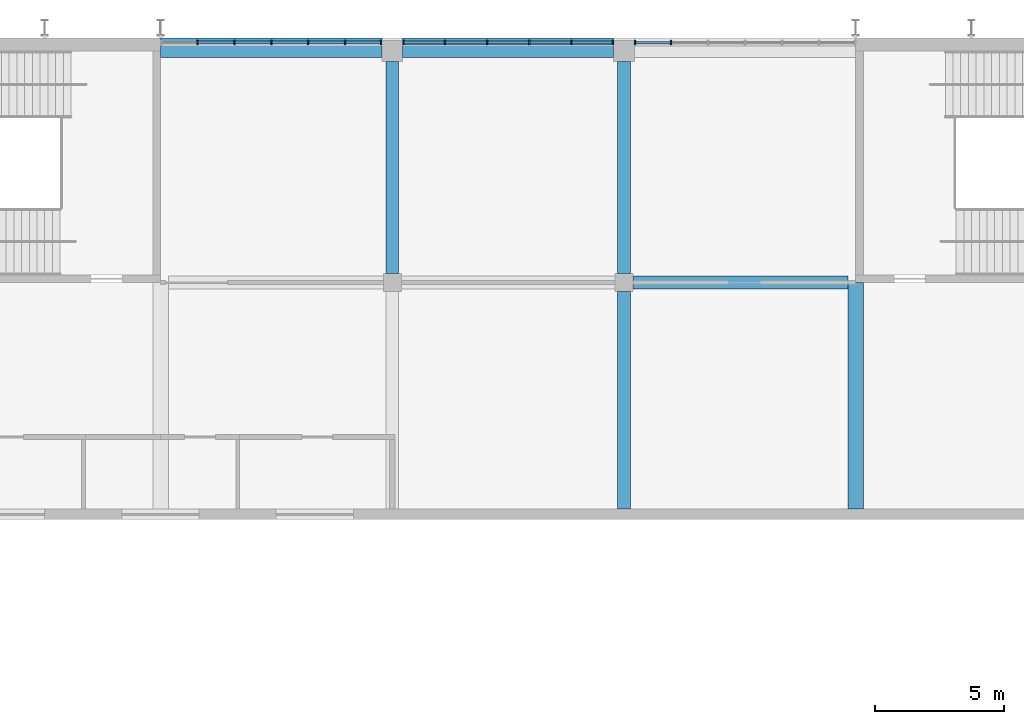
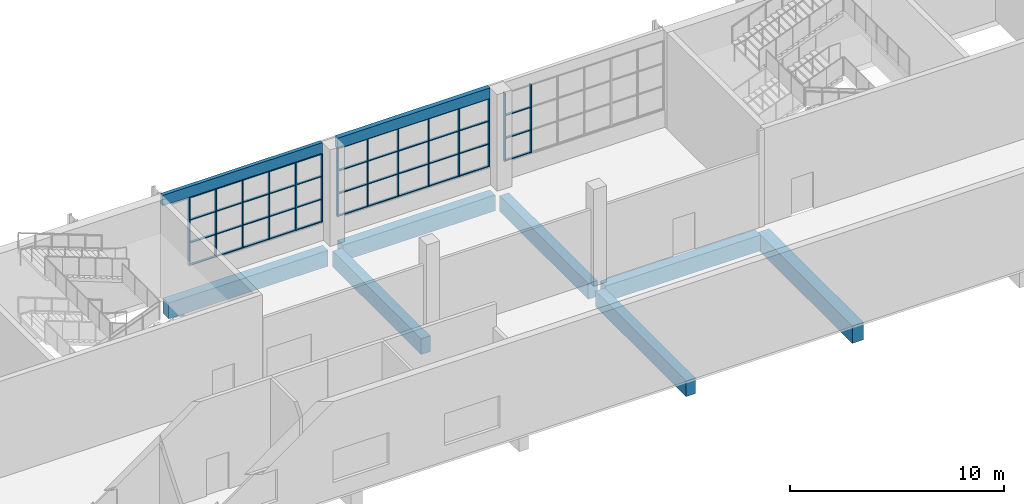
# One storey, part 18 of 84: 57 members, 9 beams, 3 elements without a shape of their own.
"""IFC4 building model written with IfcOpenShell, lengths in metres."""

from ifc_helpers import new_model, si_unit, direction, frame, origin, origin_2d, place, context, subcontext, project, spatial, rectangle, extrude, material, material_profile, profile_set, type_object, element, aggregate, save


model = new_model("IFC4")

# Units and contexts
model_context = context("Model", 3, precision=1e-05, world=origin(), true_north=direction((0.0, 1.0)))
body_context = subcontext(model_context, "Body", "Model", "MODEL_VIEW")
ifc_project = project(units=[si_unit("LENGTHUNIT", "METRE"), si_unit("AREAUNIT", "SQUARE_METRE"), si_unit("VOLUMEUNIT", "CUBIC_METRE"), si_unit("PLANEANGLEUNIT", "RADIAN"), si_unit("MASSUNIT", "GRAM", prefix="KILO")], contexts=[model_context])

# Site, building, storey
site_placement = place(None, origin())
site = spatial("IfcSite", under=ifc_project, at=site_placement, CompositionType="ELEMENT")
building_placement = place(site_placement, origin())
building = spatial("IfcBuilding", under=site, at=building_placement, Name="Silverbay Arena", CompositionType="ELEMENT")
storey_placement = place(building_placement, frame((0.0, 0.0, 28.0)))
storey = spatial("IfcBuildingStorey", under=building, at=storey_placement, Name="L04", CompositionType="ELEMENT", Elevation=28.0)

# Curtain wall, members
ifc_material_1 = material(Name="Aluminium framed curtain wall", Category="aluminium")
curtain_wall_type_1 = type_object("IfcCurtainWallType", Name="Curtain wall 8600 x 3900", PredefinedType="NOTDEFINED", material=ifc_material_1)
curtain_wall_1_placement = place(storey_placement, origin())
curtain_wall_1 = element("IfcCurtainWall", 1, at=curtain_wall_1_placement, inside=storey, type_object=curtain_wall_type_1, Name="North curtain wall L04 bay 8", PredefinedType="NOTDEFINED")
ifc_material_2 = material(Name="Aluminium", Category="aluminium")
ifc_material_profile_1 = material_profile(ifc_material_2, rectangle(XDim=0.159912109375, YDim=0.06005859375, at=origin_2d()), Name="Mullion 60 x 160")
ifc_profile_set_1 = profile_set([ifc_material_profile_1], Name="Aluminium")
member_type_1 = type_object("IfcMemberType", Name="Mullion 60 x 160", PredefinedType="MULLION", material=ifc_profile_set_1)
member_1_placement = place(storey_placement, frame((125.570068359375, 144.330078125, 1.0), z_axis=(0.0, 0.0, 1.0), x_axis=(0.0, -1.0, 0.0)))
member_1 = element("IfcMember", 2, at=member_1_placement, type_object=member_type_1, Name="CW1 mullion 1", PredefinedType="MULLION", context=body_context, shape_type="SweptSolid", body=[
    extrude(rectangle(XDim=0.159912109375, YDim=0.06005859375, at=origin_2d()), origin(), (0.0, 0.0, 1.0), 3.89990234375),
])
member_2_placement = place(storey_placement, frame((124.166748046875, 144.330078125, 1.0), z_axis=(0.0, 0.0, 1.0), x_axis=(0.0, -1.0, 0.0)))
member_2 = element("IfcMember", 3, at=member_2_placement, type_object=member_type_1, Name="CW1 mullion 2", PredefinedType="MULLION", context=body_context, shape_type="SweptSolid", body=[
    extrude(rectangle(XDim=0.159912109375, YDim=0.06005859375, at=origin_2d()), origin(), (0.0, 0.0, 1.0), 3.89990234375),
])
member_3_placement = place(storey_placement, frame((122.7333984375, 144.330078125, 1.0), z_axis=(0.0, 0.0, 1.0), x_axis=(0.0, -1.0, 0.0)))
member_3 = element("IfcMember", 4, at=member_3_placement, type_object=member_type_1, Name="CW1 mullion 3", PredefinedType="MULLION", context=body_context, shape_type="SweptSolid", body=[
    extrude(rectangle(XDim=0.159912109375, YDim=0.06005859375, at=origin_2d()), origin(), (0.0, 0.0, 1.0), 3.89990234375),
])
member_4_placement = place(storey_placement, frame((121.300048828125, 144.330078125, 1.0), z_axis=(0.0, 0.0, 1.0), x_axis=(0.0, -1.0, 0.0)))
member_4 = element("IfcMember", 5, at=member_4_placement, type_object=member_type_1, Name="CW1 mullion 4", PredefinedType="MULLION", context=body_context, shape_type="SweptSolid", body=[
    extrude(rectangle(XDim=0.159912109375, YDim=0.06005859375, at=origin_2d()), origin(), (0.0, 0.0, 1.0), 3.89990234375),
])
member_5_placement = place(storey_placement, frame((119.86669921875, 144.330078125, 1.0), z_axis=(0.0, 0.0, 1.0), x_axis=(0.0, -1.0, 0.0)))
member_5 = element("IfcMember", 6, at=member_5_placement, type_object=member_type_1, Name="CW1 mullion 5", PredefinedType="MULLION", context=body_context, shape_type="SweptSolid", body=[
    extrude(rectangle(XDim=0.159912109375, YDim=0.06005859375, at=origin_2d()), origin(), (0.0, 0.0, 1.0), 3.89990234375),
])
member_6_placement = place(storey_placement, frame((118.433349609375, 144.330078125, 1.0), z_axis=(0.0, 0.0, 1.0), x_axis=(0.0, -1.0, 0.0)))
member_6 = element("IfcMember", 7, at=member_6_placement, type_object=member_type_1, Name="CW1 mullion 6", PredefinedType="MULLION", context=body_context, shape_type="SweptSolid", body=[
    extrude(rectangle(XDim=0.159912109375, YDim=0.06005859375, at=origin_2d()), origin(), (0.0, 0.0, 1.0), 3.89990234375),
])

ifc_material_3 = material(Name="Aluminium framed curtain wall", Category="aluminium")
curtain_wall_type_2 = type_object("IfcCurtainWallType", Name="Curtain wall 8200 x 3900", PredefinedType="NOTDEFINED", material=ifc_material_3)
curtain_wall_2_placement = place(storey_placement, origin())
curtain_wall_2 = element("IfcCurtainWall", 8, at=curtain_wall_2_placement, inside=storey, type_object=curtain_wall_type_2, Name="North curtain wall L04 bay 9", PredefinedType="NOTDEFINED")
member_7_placement = place(storey_placement, frame((134.570068359375, 144.330078125, 1.0), z_axis=(0.0, 0.0, 1.0), x_axis=(0.0, -1.0, 0.0)))
member_7 = element("IfcMember", 9, at=member_7_placement, type_object=member_type_1, Name="CW16 mullion 1", PredefinedType="MULLION", context=body_context, shape_type="SweptSolid", body=[
    extrude(rectangle(XDim=0.159912109375, YDim=0.06005859375, at=origin_2d()), origin(), (0.0, 0.0, 1.0), 3.89990234375),
])
member_8_placement = place(storey_placement, frame((132.9599609375, 144.330078125, 1.0), z_axis=(0.0, 0.0, 1.0), x_axis=(0.0, -1.0, 0.0)))
member_8 = element("IfcMember", 10, at=member_8_placement, type_object=member_type_1, Name="CW16 mullion 2", PredefinedType="MULLION", context=body_context, shape_type="SweptSolid", body=[
    extrude(rectangle(XDim=0.159912109375, YDim=0.06005859375, at=origin_2d()), origin(), (0.0, 0.0, 1.0), 3.89990234375),
])
member_9_placement = place(storey_placement, frame((131.320068359375, 144.330078125, 1.0), z_axis=(0.0, 0.0, 1.0), x_axis=(0.0, -1.0, 0.0)))
member_9 = element("IfcMember", 11, at=member_9_placement, type_object=member_type_1, Name="CW16 mullion 3", PredefinedType="MULLION", context=body_context, shape_type="SweptSolid", body=[
    extrude(rectangle(XDim=0.159912109375, YDim=0.06005859375, at=origin_2d()), origin(), (0.0, 0.0, 1.0), 3.89990234375),
])
member_10_placement = place(storey_placement, frame((129.679931640625, 144.330078125, 1.0), z_axis=(0.0, 0.0, 1.0), x_axis=(0.0, -1.0, 0.0)))
member_10 = element("IfcMember", 12, at=member_10_placement, type_object=member_type_1, Name="CW16 mullion 4", PredefinedType="MULLION", context=body_context, shape_type="SweptSolid", body=[
    extrude(rectangle(XDim=0.159912109375, YDim=0.06005859375, at=origin_2d()), origin(), (0.0, 0.0, 1.0), 3.89990234375),
])
member_11_placement = place(storey_placement, frame((128.0400390625, 144.330078125, 1.0), z_axis=(0.0, 0.0, 1.0), x_axis=(0.0, -1.0, 0.0)))
member_11 = element("IfcMember", 13, at=member_11_placement, type_object=member_type_1, Name="CW16 mullion 5", PredefinedType="MULLION", context=body_context, shape_type="SweptSolid", body=[
    extrude(rectangle(XDim=0.159912109375, YDim=0.06005859375, at=origin_2d()), origin(), (0.0, 0.0, 1.0), 3.89990234375),
])
member_12_placement = place(storey_placement, frame((126.429931640625, 144.330078125, 1.0), z_axis=(0.0, 0.0, 1.0), x_axis=(0.0, -1.0, 0.0)))
member_12 = element("IfcMember", 14, at=member_12_placement, type_object=member_type_1, Name="CW16 mullion 6", PredefinedType="MULLION", context=body_context, shape_type="SweptSolid", body=[
    extrude(rectangle(XDim=0.159912109375, YDim=0.06005859375, at=origin_2d()), origin(), (0.0, 0.0, 1.0), 3.89990234375),
])

curtain_wall_3_placement = place(storey_placement, origin())
curtain_wall_3 = element("IfcCurtainWall", 15, at=curtain_wall_3_placement, inside=storey, type_object=curtain_wall_type_1, Name="North curtain wall L04 bay 10", PredefinedType="NOTDEFINED")
member_13_placement = place(storey_placement, frame((136.833251953125, 144.330078125, 1.0), z_axis=(0.0, 0.0, 1.0), x_axis=(0.0, -1.0, 0.0)))
member_13 = element("IfcMember", 16, at=member_13_placement, type_object=member_type_1, Name="CW1 mullion 6", PredefinedType="MULLION", context=body_context, shape_type="SweptSolid", body=[
    extrude(rectangle(XDim=0.159912109375, YDim=0.06005859375, at=origin_2d()), origin(), (0.0, 0.0, 1.0), 3.89990234375),
])
member_14_placement = place(storey_placement, frame((135.429931640625, 144.330078125, 1.0), z_axis=(0.0, 0.0, 1.0), x_axis=(0.0, -1.0, 0.0)))
member_14 = element("IfcMember", 17, at=member_14_placement, type_object=member_type_1, Name="CW1 mullion 7", PredefinedType="MULLION", context=body_context, shape_type="SweptSolid", body=[
    extrude(rectangle(XDim=0.159912109375, YDim=0.06005859375, at=origin_2d()), origin(), (0.0, 0.0, 1.0), 3.89990234375),
])

# Beams
ifc_material_4 = material(Name="Concrete Grade C45", Category="concrete")
ifc_material_profile_2 = material_profile(ifc_material_4, rectangle(XDim=0.5, YDim=0.89990234375, at=origin_2d()), Name="RC 500x900")
ifc_profile_set_2 = profile_set([ifc_material_profile_2], Name="Concrete Grade C45")
beam_type_1 = type_object("IfcBeamType", Name="RC beam 500x900", PredefinedType="BEAM", material=ifc_profile_set_2)
beam_1_placement = place(storey_placement, frame((135.35009765625, 135.0, -0.75), z_axis=(1.0, 0.0, 0.0), x_axis=(0.0, 1.0, 0.0)))
element("IfcBeam", 18, at=beam_1_placement, inside=storey, type_object=beam_type_1, Name="Floor beam L04 070", PredefinedType="BEAM", context=body_context, shape_type="SweptSolid", body=[
    extrude(rectangle(XDim=0.5, YDim=0.89990234375, at=origin_2d()), origin(), (0.0, 0.0, 1.0), 8.349853515625),
])
beam_2_placement = place(storey_placement, frame((117.0, 144.0, -0.75), z_axis=(1.0, 0.0, 0.0), x_axis=(0.0, 1.0, 0.0)))
element("IfcBeam", 19, at=beam_2_placement, inside=storey, type_object=beam_type_1, Name="Floor beam L04 073", PredefinedType="BEAM", context=body_context, shape_type="SweptSolid", body=[
    extrude(rectangle(XDim=0.5, YDim=0.89990234375, at=origin_2d()), origin(), (0.0, 0.0, 1.0), 8.60009765625),
])
beam_3_placement = place(storey_placement, frame((126.39990234375, 144.0, -0.75), z_axis=(1.0, 0.0, 0.0), x_axis=(0.0, 1.0, 0.0)))
element("IfcBeam", 20, at=beam_3_placement, inside=storey, type_object=beam_type_1, Name="Floor beam L04 074", PredefinedType="BEAM", context=body_context, shape_type="SweptSolid", body=[
    extrude(rectangle(XDim=0.5, YDim=0.89990234375, at=origin_2d()), origin(), (0.0, 0.0, 1.0), 8.2001953125),
])
beam_4_placement = place(storey_placement, frame((126.0, 135.35009765625, -0.75), z_axis=(0.0, 1.0, 0.0), x_axis=(-1.0, 0.0, 0.0)))
element("IfcBeam", 21, at=beam_4_placement, inside=storey, type_object=beam_type_1, Name="Floor beam L04 118", PredefinedType="BEAM", context=body_context, shape_type="SweptSolid", body=[
    extrude(rectangle(XDim=0.5, YDim=0.89990234375, at=origin_2d()), origin(), (0.0, 0.0, 1.0), 8.25),
])
beam_5_placement = place(storey_placement, frame((135.0, 126.199951171875, -0.75), z_axis=(0.0, 1.0, 0.0), x_axis=(-1.0, 0.0, 0.0)))
element("IfcBeam", 22, at=beam_5_placement, inside=storey, type_object=beam_type_1, Name="Floor beam L04 121", PredefinedType="BEAM", context=body_context, shape_type="SweptSolid", body=[
    extrude(rectangle(XDim=0.5, YDim=0.89990234375, at=origin_2d()), origin(), (0.0, 0.0, 1.0), 8.449951171875),
])
beam_6_placement = place(storey_placement, frame((135.0, 135.35009765625, -0.75), z_axis=(0.0, 1.0, 0.0), x_axis=(-1.0, 0.0, 0.0)))
element("IfcBeam", 23, at=beam_6_placement, inside=storey, type_object=beam_type_1, Name="Floor beam L04 122", PredefinedType="BEAM", context=body_context, shape_type="SweptSolid", body=[
    extrude(rectangle(XDim=0.5, YDim=0.89990234375, at=origin_2d()), origin(), (0.0, 0.0, 1.0), 8.25),
])
ifc_material_5 = material(Name="Concrete Grade C45", Category="concrete")
ifc_material_profile_3 = material_profile(ifc_material_5, rectangle(XDim=0.60009765625, YDim=1.0, at=origin_2d()), Name="RC 600x1000")
ifc_profile_set_3 = profile_set([ifc_material_profile_3], Name="Concrete Grade C45")
beam_type_2 = type_object("IfcBeamType", Name="RC beam 600x1000", PredefinedType="BEAM", material=ifc_profile_set_3)
beam_7_placement = place(storey_placement, frame((144.0, 126.199951171875, -0.800048828125), z_axis=(0.0, 1.0, 0.0), x_axis=(-1.0, 0.0, 0.0)))
element("IfcBeam", 24, at=beam_7_placement, inside=storey, type_object=beam_type_2, Name="Floor beam L04 124", PredefinedType="BEAM", context=body_context, shape_type="SweptSolid", body=[
    extrude(rectangle(XDim=0.60009765625, YDim=1.0, at=origin_2d()), origin(), (0.0, 0.0, 1.0), 8.800048828125),
])
ifc_material_6 = material(Name="Concrete Grade C45", Category="concrete")
ifc_material_profile_4 = material_profile(ifc_material_6, rectangle(XDim=0.199951171875, YDim=0.60009765625, at=origin_2d()), Name="RC 200x600")
ifc_profile_set_4 = profile_set([ifc_material_profile_4], Name="Concrete Grade C45")
beam_type_3 = type_object("IfcBeamType", Name="RC facade beam 200x600", PredefinedType="SPANDREL", material=ifc_profile_set_4)
beam_8_placement = place(storey_placement, frame((117.0, 144.39990234375, 5.199951171875), z_axis=(1.0, 0.0, 0.0), x_axis=(0.0, 1.0, 0.0)))
element("IfcBeam", 25, at=beam_8_placement, inside=storey, type_object=beam_type_3, Name="Facade beam L04 north", PredefinedType="SPANDREL", context=body_context, shape_type="SweptSolid", body=[
    extrude(rectangle(XDim=0.199951171875, YDim=0.60009765625, at=origin_2d()), origin(), (0.0, 0.0, 1.0), 8.60009765625),
])
ifc_material_7 = material(Name="Concrete Grade C45", Category="concrete")
ifc_material_profile_5 = material_profile(ifc_material_7, rectangle(XDim=0.25, YDim=0.60009765625, at=origin_2d()), Name="RC 250x600")
ifc_profile_set_5 = profile_set([ifc_material_profile_5], Name="Concrete Grade C45")
beam_type_4 = type_object("IfcBeamType", Name="RC facade beam 250x600", PredefinedType="SPANDREL", material=ifc_profile_set_5)
beam_9_placement = place(storey_placement, frame((126.39990234375, 144.375, 5.199951171875), z_axis=(1.0, 0.0, 0.0), x_axis=(0.0, 1.0, 0.0)))
element("IfcBeam", 26, at=beam_9_placement, inside=storey, type_object=beam_type_4, Name="Facade beam L04 north", PredefinedType="SPANDREL", context=body_context, shape_type="SweptSolid", body=[
    extrude(rectangle(XDim=0.25, YDim=0.60009765625, at=origin_2d()), origin(), (0.0, 0.0, 1.0), 8.2001953125),
])

# Member
ifc_material_8 = material(Name="Aluminium", Category="aluminium")
ifc_material_profile_6 = material_profile(ifc_material_8, rectangle(XDim=0.1201171875, YDim=0.050048828125, at=origin_2d()), Name="Transom 50 x 120")
ifc_profile_set_6 = profile_set([ifc_material_profile_6], Name="Aluminium")
member_type_2 = type_object("IfcMemberType", Name="Transom 50 x 120", PredefinedType="USERDEFINED", material=ifc_profile_set_6)
member_15_placement = place(storey_placement, frame((125.5400390625, 144.330078125, 1.02490234375), z_axis=(-1.0, 0.0, 0.0), x_axis=(0.0, -1.0, 0.0)))
member_15 = element("IfcMember", 27, at=member_15_placement, type_object=member_type_2, Name="CW1 transom 1.1", ObjectType="TRANSOM", PredefinedType="USERDEFINED", context=body_context, shape_type="SweptSolid", body=[
    extrude(rectangle(XDim=0.1201171875, YDim=0.050048828125, at=origin_2d()), origin(), (0.0, 0.0, 1.0), 1.34326171875),
])

member_16_placement = place(storey_placement, frame((125.5400390625, 144.330078125, 2.300048828125), z_axis=(-1.0, 0.0, 0.0), x_axis=(0.0, -1.0, 0.0)))
member_16 = element("IfcMember", 28, at=member_16_placement, type_object=member_type_2, Name="CW1 transom 1.2", ObjectType="TRANSOM", PredefinedType="USERDEFINED", context=body_context, shape_type="SweptSolid", body=[
    extrude(rectangle(XDim=0.1201171875, YDim=0.050048828125, at=origin_2d()), origin(), (0.0, 0.0, 1.0), 1.34326171875),
])

member_17_placement = place(storey_placement, frame((125.5400390625, 144.330078125, 3.60009765625), z_axis=(-1.0, 0.0, 0.0), x_axis=(0.0, -1.0, 0.0)))
member_17 = element("IfcMember", 29, at=member_17_placement, type_object=member_type_2, Name="CW1 transom 1.3", ObjectType="TRANSOM", PredefinedType="USERDEFINED", context=body_context, shape_type="SweptSolid", body=[
    extrude(rectangle(XDim=0.1201171875, YDim=0.050048828125, at=origin_2d()), origin(), (0.0, 0.0, 1.0), 1.34326171875),
])

member_18_placement = place(storey_placement, frame((125.5400390625, 144.330078125, 4.875), z_axis=(-1.0, 0.0, 0.0), x_axis=(0.0, -1.0, 0.0)))
member_18 = element("IfcMember", 30, at=member_18_placement, type_object=member_type_2, Name="CW1 transom 1.4", ObjectType="TRANSOM", PredefinedType="USERDEFINED", context=body_context, shape_type="SweptSolid", body=[
    extrude(rectangle(XDim=0.1201171875, YDim=0.050048828125, at=origin_2d()), origin(), (0.0, 0.0, 1.0), 1.34326171875),
])

member_19_placement = place(storey_placement, frame((124.13671875, 144.330078125, 1.02490234375), z_axis=(-1.0, 0.0, 0.0), x_axis=(0.0, -1.0, 0.0)))
member_19 = element("IfcMember", 31, at=member_19_placement, type_object=member_type_2, Name="CW1 transom 2.1", ObjectType="TRANSOM", PredefinedType="USERDEFINED", context=body_context, shape_type="SweptSolid", body=[
    extrude(rectangle(XDim=0.1201171875, YDim=0.050048828125, at=origin_2d()), origin(), (0.0, 0.0, 1.0), 1.373291015625),
])

member_20_placement = place(storey_placement, frame((124.13671875, 144.330078125, 2.300048828125), z_axis=(-1.0, 0.0, 0.0), x_axis=(0.0, -1.0, 0.0)))
member_20 = element("IfcMember", 32, at=member_20_placement, type_object=member_type_2, Name="CW1 transom 2.2", ObjectType="TRANSOM", PredefinedType="USERDEFINED", context=body_context, shape_type="SweptSolid", body=[
    extrude(rectangle(XDim=0.1201171875, YDim=0.050048828125, at=origin_2d()), origin(), (0.0, 0.0, 1.0), 1.373291015625),
])

member_21_placement = place(storey_placement, frame((124.13671875, 144.330078125, 3.60009765625), z_axis=(-1.0, 0.0, 0.0), x_axis=(0.0, -1.0, 0.0)))
member_21 = element("IfcMember", 33, at=member_21_placement, type_object=member_type_2, Name="CW1 transom 2.3", ObjectType="TRANSOM", PredefinedType="USERDEFINED", context=body_context, shape_type="SweptSolid", body=[
    extrude(rectangle(XDim=0.1201171875, YDim=0.050048828125, at=origin_2d()), origin(), (0.0, 0.0, 1.0), 1.373291015625),
])

member_22_placement = place(storey_placement, frame((124.13671875, 144.330078125, 4.875), z_axis=(-1.0, 0.0, 0.0), x_axis=(0.0, -1.0, 0.0)))
member_22 = element("IfcMember", 34, at=member_22_placement, type_object=member_type_2, Name="CW1 transom 2.4", ObjectType="TRANSOM", PredefinedType="USERDEFINED", context=body_context, shape_type="SweptSolid", body=[
    extrude(rectangle(XDim=0.1201171875, YDim=0.050048828125, at=origin_2d()), origin(), (0.0, 0.0, 1.0), 1.373291015625),
])

member_23_placement = place(storey_placement, frame((122.703369140625, 144.330078125, 1.02490234375), z_axis=(-1.0, 0.0, 0.0), x_axis=(0.0, -1.0, 0.0)))
member_23 = element("IfcMember", 35, at=member_23_placement, type_object=member_type_2, Name="CW1 transom 3.1", ObjectType="TRANSOM", PredefinedType="USERDEFINED", context=body_context, shape_type="SweptSolid", body=[
    extrude(rectangle(XDim=0.1201171875, YDim=0.050048828125, at=origin_2d()), origin(), (0.0, 0.0, 1.0), 1.373291015625),
])

member_24_placement = place(storey_placement, frame((122.703369140625, 144.330078125, 2.300048828125), z_axis=(-1.0, 0.0, 0.0), x_axis=(0.0, -1.0, 0.0)))
member_24 = element("IfcMember", 36, at=member_24_placement, type_object=member_type_2, Name="CW1 transom 3.2", ObjectType="TRANSOM", PredefinedType="USERDEFINED", context=body_context, shape_type="SweptSolid", body=[
    extrude(rectangle(XDim=0.1201171875, YDim=0.050048828125, at=origin_2d()), origin(), (0.0, 0.0, 1.0), 1.373291015625),
])

member_25_placement = place(storey_placement, frame((122.703369140625, 144.330078125, 3.60009765625), z_axis=(-1.0, 0.0, 0.0), x_axis=(0.0, -1.0, 0.0)))
member_25 = element("IfcMember", 37, at=member_25_placement, type_object=member_type_2, Name="CW1 transom 3.3", ObjectType="TRANSOM", PredefinedType="USERDEFINED", context=body_context, shape_type="SweptSolid", body=[
    extrude(rectangle(XDim=0.1201171875, YDim=0.050048828125, at=origin_2d()), origin(), (0.0, 0.0, 1.0), 1.373291015625),
])

member_26_placement = place(storey_placement, frame((122.703369140625, 144.330078125, 4.875), z_axis=(-1.0, 0.0, 0.0), x_axis=(0.0, -1.0, 0.0)))
member_26 = element("IfcMember", 38, at=member_26_placement, type_object=member_type_2, Name="CW1 transom 3.4", ObjectType="TRANSOM", PredefinedType="USERDEFINED", context=body_context, shape_type="SweptSolid", body=[
    extrude(rectangle(XDim=0.1201171875, YDim=0.050048828125, at=origin_2d()), origin(), (0.0, 0.0, 1.0), 1.373291015625),
])

member_27_placement = place(storey_placement, frame((121.27001953125, 144.330078125, 1.02490234375), z_axis=(-1.0, 0.0, 0.0), x_axis=(0.0, -1.0, 0.0)))
member_27 = element("IfcMember", 39, at=member_27_placement, type_object=member_type_2, Name="CW1 transom 4.1", ObjectType="TRANSOM", PredefinedType="USERDEFINED", context=body_context, shape_type="SweptSolid", body=[
    extrude(rectangle(XDim=0.1201171875, YDim=0.050048828125, at=origin_2d()), origin(), (0.0, 0.0, 1.0), 1.373291015625),
])

member_28_placement = place(storey_placement, frame((121.27001953125, 144.330078125, 2.300048828125), z_axis=(-1.0, 0.0, 0.0), x_axis=(0.0, -1.0, 0.0)))
member_28 = element("IfcMember", 40, at=member_28_placement, type_object=member_type_2, Name="CW1 transom 4.2", ObjectType="TRANSOM", PredefinedType="USERDEFINED", context=body_context, shape_type="SweptSolid", body=[
    extrude(rectangle(XDim=0.1201171875, YDim=0.050048828125, at=origin_2d()), origin(), (0.0, 0.0, 1.0), 1.373291015625),
])

member_29_placement = place(storey_placement, frame((121.27001953125, 144.330078125, 3.60009765625), z_axis=(-1.0, 0.0, 0.0), x_axis=(0.0, -1.0, 0.0)))
member_29 = element("IfcMember", 41, at=member_29_placement, type_object=member_type_2, Name="CW1 transom 4.3", ObjectType="TRANSOM", PredefinedType="USERDEFINED", context=body_context, shape_type="SweptSolid", body=[
    extrude(rectangle(XDim=0.1201171875, YDim=0.050048828125, at=origin_2d()), origin(), (0.0, 0.0, 1.0), 1.373291015625),
])

member_30_placement = place(storey_placement, frame((121.27001953125, 144.330078125, 4.875), z_axis=(-1.0, 0.0, 0.0), x_axis=(0.0, -1.0, 0.0)))
member_30 = element("IfcMember", 42, at=member_30_placement, type_object=member_type_2, Name="CW1 transom 4.4", ObjectType="TRANSOM", PredefinedType="USERDEFINED", context=body_context, shape_type="SweptSolid", body=[
    extrude(rectangle(XDim=0.1201171875, YDim=0.050048828125, at=origin_2d()), origin(), (0.0, 0.0, 1.0), 1.373291015625),
])

member_31_placement = place(storey_placement, frame((119.836669921875, 144.330078125, 1.02490234375), z_axis=(-1.0, 0.0, 0.0), x_axis=(0.0, -1.0, 0.0)))
member_31 = element("IfcMember", 43, at=member_31_placement, type_object=member_type_2, Name="CW1 transom 5.1", ObjectType="TRANSOM", PredefinedType="USERDEFINED", context=body_context, shape_type="SweptSolid", body=[
    extrude(rectangle(XDim=0.1201171875, YDim=0.050048828125, at=origin_2d()), origin(), (0.0, 0.0, 1.0), 1.373291015625),
])

member_32_placement = place(storey_placement, frame((119.836669921875, 144.330078125, 2.300048828125), z_axis=(-1.0, 0.0, 0.0), x_axis=(0.0, -1.0, 0.0)))
member_32 = element("IfcMember", 44, at=member_32_placement, type_object=member_type_2, Name="CW1 transom 5.2", ObjectType="TRANSOM", PredefinedType="USERDEFINED", context=body_context, shape_type="SweptSolid", body=[
    extrude(rectangle(XDim=0.1201171875, YDim=0.050048828125, at=origin_2d()), origin(), (0.0, 0.0, 1.0), 1.373291015625),
])

member_33_placement = place(storey_placement, frame((119.836669921875, 144.330078125, 3.60009765625), z_axis=(-1.0, 0.0, 0.0), x_axis=(0.0, -1.0, 0.0)))
member_33 = element("IfcMember", 45, at=member_33_placement, type_object=member_type_2, Name="CW1 transom 5.3", ObjectType="TRANSOM", PredefinedType="USERDEFINED", context=body_context, shape_type="SweptSolid", body=[
    extrude(rectangle(XDim=0.1201171875, YDim=0.050048828125, at=origin_2d()), origin(), (0.0, 0.0, 1.0), 1.373291015625),
])

member_34_placement = place(storey_placement, frame((119.836669921875, 144.330078125, 4.875), z_axis=(-1.0, 0.0, 0.0), x_axis=(0.0, -1.0, 0.0)))
member_34 = element("IfcMember", 46, at=member_34_placement, type_object=member_type_2, Name="CW1 transom 5.4", ObjectType="TRANSOM", PredefinedType="USERDEFINED", context=body_context, shape_type="SweptSolid", body=[
    extrude(rectangle(XDim=0.1201171875, YDim=0.050048828125, at=origin_2d()), origin(), (0.0, 0.0, 1.0), 1.373291015625),
])

aggregate(curtain_wall_1, [member_1, member_2, member_3, member_4, member_5, member_6, member_15, member_16, member_17, member_18, member_19, member_20, member_21, member_22, member_23, member_24, member_25, member_26, member_27, member_28, member_29, member_30, member_31, member_32, member_33, member_34])

member_35_placement = place(storey_placement, frame((134.5400390625, 144.330078125, 1.02490234375), z_axis=(-1.0, 0.0, 0.0), x_axis=(0.0, -1.0, 0.0)))
member_35 = element("IfcMember", 47, at=member_35_placement, type_object=member_type_2, Name="CW16 transom 1.1", ObjectType="TRANSOM", PredefinedType="USERDEFINED", context=body_context, shape_type="SweptSolid", body=[
    extrude(rectangle(XDim=0.1201171875, YDim=0.050048828125, at=origin_2d()), origin(), (0.0, 0.0, 1.0), 1.550048828125),
])

member_36_placement = place(storey_placement, frame((134.5400390625, 144.330078125, 2.300048828125), z_axis=(-1.0, 0.0, 0.0), x_axis=(0.0, -1.0, 0.0)))
member_36 = element("IfcMember", 48, at=member_36_placement, type_object=member_type_2, Name="CW16 transom 1.2", ObjectType="TRANSOM", PredefinedType="USERDEFINED", context=body_context, shape_type="SweptSolid", body=[
    extrude(rectangle(XDim=0.1201171875, YDim=0.050048828125, at=origin_2d()), origin(), (0.0, 0.0, 1.0), 1.550048828125),
])

member_37_placement = place(storey_placement, frame((134.5400390625, 144.330078125, 3.60009765625), z_axis=(-1.0, 0.0, 0.0), x_axis=(0.0, -1.0, 0.0)))
member_37 = element("IfcMember", 49, at=member_37_placement, type_object=member_type_2, Name="CW16 transom 1.3", ObjectType="TRANSOM", PredefinedType="USERDEFINED", context=body_context, shape_type="SweptSolid", body=[
    extrude(rectangle(XDim=0.1201171875, YDim=0.050048828125, at=origin_2d()), origin(), (0.0, 0.0, 1.0), 1.550048828125),
])

member_38_placement = place(storey_placement, frame((134.5400390625, 144.330078125, 4.875), z_axis=(-1.0, 0.0, 0.0), x_axis=(0.0, -1.0, 0.0)))
member_38 = element("IfcMember", 50, at=member_38_placement, type_object=member_type_2, Name="CW16 transom 1.4", ObjectType="TRANSOM", PredefinedType="USERDEFINED", context=body_context, shape_type="SweptSolid", body=[
    extrude(rectangle(XDim=0.1201171875, YDim=0.050048828125, at=origin_2d()), origin(), (0.0, 0.0, 1.0), 1.550048828125),
])

member_39_placement = place(storey_placement, frame((132.929931640625, 144.330078125, 1.02490234375), z_axis=(-1.0, 0.0, 0.0), x_axis=(0.0, -1.0, 0.0)))
member_39 = element("IfcMember", 51, at=member_39_placement, type_object=member_type_2, Name="CW16 transom 2.1", ObjectType="TRANSOM", PredefinedType="USERDEFINED", context=body_context, shape_type="SweptSolid", body=[
    extrude(rectangle(XDim=0.1201171875, YDim=0.050048828125, at=origin_2d()), origin(), (0.0, 0.0, 1.0), 1.579833984375),
])

member_40_placement = place(storey_placement, frame((132.929931640625, 144.330078125, 2.300048828125), z_axis=(-1.0, 0.0, 0.0), x_axis=(0.0, -1.0, 0.0)))
member_40 = element("IfcMember", 52, at=member_40_placement, type_object=member_type_2, Name="CW16 transom 2.2", ObjectType="TRANSOM", PredefinedType="USERDEFINED", context=body_context, shape_type="SweptSolid", body=[
    extrude(rectangle(XDim=0.1201171875, YDim=0.050048828125, at=origin_2d()), origin(), (0.0, 0.0, 1.0), 1.579833984375),
])

member_41_placement = place(storey_placement, frame((132.929931640625, 144.330078125, 3.60009765625), z_axis=(-1.0, 0.0, 0.0), x_axis=(0.0, -1.0, 0.0)))
member_41 = element("IfcMember", 53, at=member_41_placement, type_object=member_type_2, Name="CW16 transom 2.3", ObjectType="TRANSOM", PredefinedType="USERDEFINED", context=body_context, shape_type="SweptSolid", body=[
    extrude(rectangle(XDim=0.1201171875, YDim=0.050048828125, at=origin_2d()), origin(), (0.0, 0.0, 1.0), 1.579833984375),
])

member_42_placement = place(storey_placement, frame((132.929931640625, 144.330078125, 4.875), z_axis=(-1.0, 0.0, 0.0), x_axis=(0.0, -1.0, 0.0)))
member_42 = element("IfcMember", 54, at=member_42_placement, type_object=member_type_2, Name="CW16 transom 2.4", ObjectType="TRANSOM", PredefinedType="USERDEFINED", context=body_context, shape_type="SweptSolid", body=[
    extrude(rectangle(XDim=0.1201171875, YDim=0.050048828125, at=origin_2d()), origin(), (0.0, 0.0, 1.0), 1.579833984375),
])

member_43_placement = place(storey_placement, frame((131.2900390625, 144.330078125, 1.02490234375), z_axis=(-1.0, 0.0, 0.0), x_axis=(0.0, -1.0, 0.0)))
member_43 = element("IfcMember", 55, at=member_43_placement, type_object=member_type_2, Name="CW16 transom 3.1", ObjectType="TRANSOM", PredefinedType="USERDEFINED", context=body_context, shape_type="SweptSolid", body=[
    extrude(rectangle(XDim=0.1201171875, YDim=0.050048828125, at=origin_2d()), origin(), (0.0, 0.0, 1.0), 1.580078125),
])

member_44_placement = place(storey_placement, frame((131.2900390625, 144.330078125, 2.300048828125), z_axis=(-1.0, 0.0, 0.0), x_axis=(0.0, -1.0, 0.0)))
member_44 = element("IfcMember", 56, at=member_44_placement, type_object=member_type_2, Name="CW16 transom 3.2", ObjectType="TRANSOM", PredefinedType="USERDEFINED", context=body_context, shape_type="SweptSolid", body=[
    extrude(rectangle(XDim=0.1201171875, YDim=0.050048828125, at=origin_2d()), origin(), (0.0, 0.0, 1.0), 1.580078125),
])

member_45_placement = place(storey_placement, frame((131.2900390625, 144.330078125, 3.60009765625), z_axis=(-1.0, 0.0, 0.0), x_axis=(0.0, -1.0, 0.0)))
member_45 = element("IfcMember", 57, at=member_45_placement, type_object=member_type_2, Name="CW16 transom 3.3", ObjectType="TRANSOM", PredefinedType="USERDEFINED", context=body_context, shape_type="SweptSolid", body=[
    extrude(rectangle(XDim=0.1201171875, YDim=0.050048828125, at=origin_2d()), origin(), (0.0, 0.0, 1.0), 1.580078125),
])

member_46_placement = place(storey_placement, frame((131.2900390625, 144.330078125, 4.875), z_axis=(-1.0, 0.0, 0.0), x_axis=(0.0, -1.0, 0.0)))
member_46 = element("IfcMember", 58, at=member_46_placement, type_object=member_type_2, Name="CW16 transom 3.4", ObjectType="TRANSOM", PredefinedType="USERDEFINED", context=body_context, shape_type="SweptSolid", body=[
    extrude(rectangle(XDim=0.1201171875, YDim=0.050048828125, at=origin_2d()), origin(), (0.0, 0.0, 1.0), 1.580078125),
])

member_47_placement = place(storey_placement, frame((129.64990234375, 144.330078125, 1.02490234375), z_axis=(-1.0, 0.0, 0.0), x_axis=(0.0, -1.0, 0.0)))
member_47 = element("IfcMember", 59, at=member_47_placement, type_object=member_type_2, Name="CW16 transom 4.1", ObjectType="TRANSOM", PredefinedType="USERDEFINED", context=body_context, shape_type="SweptSolid", body=[
    extrude(rectangle(XDim=0.1201171875, YDim=0.050048828125, at=origin_2d()), origin(), (0.0, 0.0, 1.0), 1.579833984375),
])

member_48_placement = place(storey_placement, frame((129.64990234375, 144.330078125, 2.300048828125), z_axis=(-1.0, 0.0, 0.0), x_axis=(0.0, -1.0, 0.0)))
member_48 = element("IfcMember", 60, at=member_48_placement, type_object=member_type_2, Name="CW16 transom 4.2", ObjectType="TRANSOM", PredefinedType="USERDEFINED", context=body_context, shape_type="SweptSolid", body=[
    extrude(rectangle(XDim=0.1201171875, YDim=0.050048828125, at=origin_2d()), origin(), (0.0, 0.0, 1.0), 1.579833984375),
])

member_49_placement = place(storey_placement, frame((129.64990234375, 144.330078125, 3.60009765625), z_axis=(-1.0, 0.0, 0.0), x_axis=(0.0, -1.0, 0.0)))
member_49 = element("IfcMember", 61, at=member_49_placement, type_object=member_type_2, Name="CW16 transom 4.3", ObjectType="TRANSOM", PredefinedType="USERDEFINED", context=body_context, shape_type="SweptSolid", body=[
    extrude(rectangle(XDim=0.1201171875, YDim=0.050048828125, at=origin_2d()), origin(), (0.0, 0.0, 1.0), 1.579833984375),
])

member_50_placement = place(storey_placement, frame((129.64990234375, 144.330078125, 4.875), z_axis=(-1.0, 0.0, 0.0), x_axis=(0.0, -1.0, 0.0)))
member_50 = element("IfcMember", 62, at=member_50_placement, type_object=member_type_2, Name="CW16 transom 4.4", ObjectType="TRANSOM", PredefinedType="USERDEFINED", context=body_context, shape_type="SweptSolid", body=[
    extrude(rectangle(XDim=0.1201171875, YDim=0.050048828125, at=origin_2d()), origin(), (0.0, 0.0, 1.0), 1.579833984375),
])

member_51_placement = place(storey_placement, frame((128.010009765625, 144.330078125, 1.02490234375), z_axis=(-1.0, 0.0, 0.0), x_axis=(0.0, -1.0, 0.0)))
member_51 = element("IfcMember", 63, at=member_51_placement, type_object=member_type_2, Name="CW16 transom 5.1", ObjectType="TRANSOM", PredefinedType="USERDEFINED", context=body_context, shape_type="SweptSolid", body=[
    extrude(rectangle(XDim=0.1201171875, YDim=0.050048828125, at=origin_2d()), origin(), (0.0, 0.0, 1.0), 1.550048828125),
])

member_52_placement = place(storey_placement, frame((128.010009765625, 144.330078125, 2.300048828125), z_axis=(-1.0, 0.0, 0.0), x_axis=(0.0, -1.0, 0.0)))
member_52 = element("IfcMember", 64, at=member_52_placement, type_object=member_type_2, Name="CW16 transom 5.2", ObjectType="TRANSOM", PredefinedType="USERDEFINED", context=body_context, shape_type="SweptSolid", body=[
    extrude(rectangle(XDim=0.1201171875, YDim=0.050048828125, at=origin_2d()), origin(), (0.0, 0.0, 1.0), 1.550048828125),
])

member_53_placement = place(storey_placement, frame((128.010009765625, 144.330078125, 3.60009765625), z_axis=(-1.0, 0.0, 0.0), x_axis=(0.0, -1.0, 0.0)))
member_53 = element("IfcMember", 65, at=member_53_placement, type_object=member_type_2, Name="CW16 transom 5.3", ObjectType="TRANSOM", PredefinedType="USERDEFINED", context=body_context, shape_type="SweptSolid", body=[
    extrude(rectangle(XDim=0.1201171875, YDim=0.050048828125, at=origin_2d()), origin(), (0.0, 0.0, 1.0), 1.550048828125),
])

member_54_placement = place(storey_placement, frame((128.010009765625, 144.330078125, 4.875), z_axis=(-1.0, 0.0, 0.0), x_axis=(0.0, -1.0, 0.0)))
member_54 = element("IfcMember", 66, at=member_54_placement, type_object=member_type_2, Name="CW16 transom 5.4", ObjectType="TRANSOM", PredefinedType="USERDEFINED", context=body_context, shape_type="SweptSolid", body=[
    extrude(rectangle(XDim=0.1201171875, YDim=0.050048828125, at=origin_2d()), origin(), (0.0, 0.0, 1.0), 1.550048828125),
])

aggregate(curtain_wall_2, [member_7, member_8, member_9, member_10, member_11, member_12, member_35, member_36, member_37, member_38, member_39, member_40, member_41, member_42, member_43, member_44, member_45, member_46, member_47, member_48, member_49, member_50, member_51, member_52, member_53, member_54])

member_55_placement = place(storey_placement, frame((136.80322265625, 144.330078125, 1.02490234375), z_axis=(-1.0, 0.0, 0.0), x_axis=(0.0, -1.0, 0.0)))
member_55 = element("IfcMember", 67, at=member_55_placement, type_object=member_type_2, Name="CW1 transom 6.1", ObjectType="TRANSOM", PredefinedType="USERDEFINED", context=body_context, shape_type="SweptSolid", body=[
    extrude(rectangle(XDim=0.1201171875, YDim=0.050048828125, at=origin_2d()), origin(), (0.0, 0.0, 1.0), 1.34326171875),
])

member_56_placement = place(storey_placement, frame((136.80322265625, 144.330078125, 2.300048828125), z_axis=(-1.0, 0.0, 0.0), x_axis=(0.0, -1.0, 0.0)))
member_56 = element("IfcMember", 68, at=member_56_placement, type_object=member_type_2, Name="CW1 transom 6.2", ObjectType="TRANSOM", PredefinedType="USERDEFINED", context=body_context, shape_type="SweptSolid", body=[
    extrude(rectangle(XDim=0.1201171875, YDim=0.050048828125, at=origin_2d()), origin(), (0.0, 0.0, 1.0), 1.34326171875),
])

member_57_placement = place(storey_placement, frame((136.80322265625, 144.330078125, 3.60009765625), z_axis=(-1.0, 0.0, 0.0), x_axis=(0.0, -1.0, 0.0)))
member_57 = element("IfcMember", 69, at=member_57_placement, type_object=member_type_2, Name="CW1 transom 6.3", ObjectType="TRANSOM", PredefinedType="USERDEFINED", context=body_context, shape_type="SweptSolid", body=[
    extrude(rectangle(XDim=0.1201171875, YDim=0.050048828125, at=origin_2d()), origin(), (0.0, 0.0, 1.0), 1.34326171875),
])

aggregate(curtain_wall_3, [member_13, member_14, member_55, member_56, member_57])

save(model, "model.ifc")
